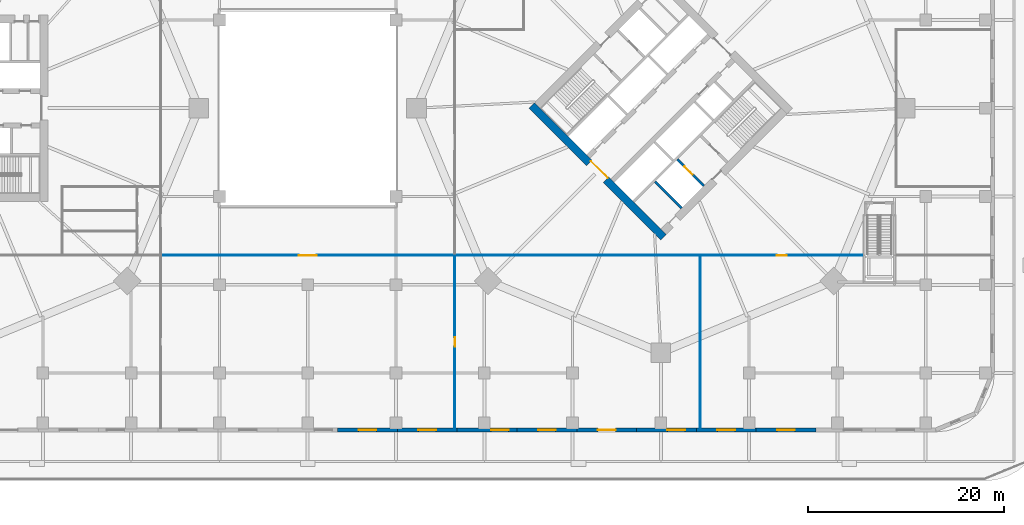
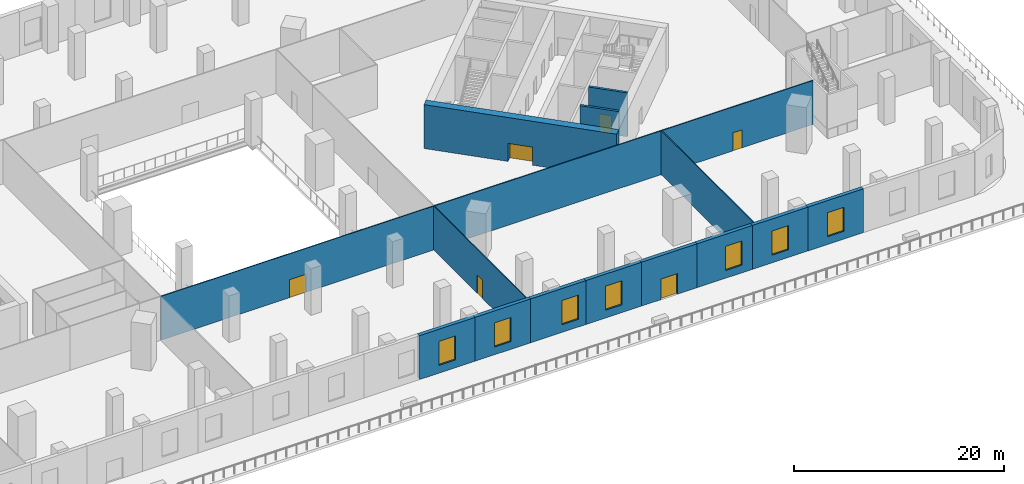
# One storey, part 7 of 20: 16 walls, 7 windows, 6 doors, 13 openings.
"""IFC4 building model written with IfcOpenShell, lengths in metres."""

import ifcopenshell
import ifcopenshell.guid

model = None  # the IFC model being written
_history = None  # IfcOwnerHistory: only IFC2X3 demands one
_inside = {}  # id of a spatial element -> (the spatial element, [elements in it])
_under = {}  # id of a project, library or spatial element -> (it, [spatial elements below it])
_declared = {}  # id of a project -> (the project, [libraries it declares])
_typed = {}  # id of a type object -> (the type object, [elements of that type])
_made_of = {}  # id of a material, layer set ... -> (it, [elements and type objects made of it])


def new_model(schema):
    """Start an empty IFC model of exactly this schema.

    Asked for "IFC4X3", IfcOpenShell would pick the latest addendum, in which some entities
    have other attributes; the version numbers below select the first issue.
    IFC2X3 requires an IfcOwnerHistory on every rooted entity: one is made here for all.
    """
    global model, _history
    if schema == "IFC4X3":
        model = ifcopenshell.file(schema_version=(4, 3, 0, 0))
    else:
        model = ifcopenshell.file(schema=schema)
    _inside.clear()
    _under.clear()
    _declared.clear()
    _typed.clear()
    _made_of.clear()
    _history = None
    if model.schema == "IFC2X3":
        org = make("IfcOrganization", Name="unknown")
        user = make(
            "IfcPersonAndOrganization",
            ThePerson=make("IfcPerson", FamilyName="unknown"),
            TheOrganization=org,
        )
        app = make(
            "IfcApplication",
            ApplicationDeveloper=org,
            Version="unknown",
            ApplicationFullName="unknown",
            ApplicationIdentifier="unknown",
        )
        _history = make(
            "IfcOwnerHistory",
            OwningUser=user,
            OwningApplication=app,
            ChangeAction="ADDED",
            CreationDate=0,
        )
    return model


def make(cls, **values):
    """One entity of the class cls with the attributes given. An attribute that is None is left unset."""
    return model.create_entity(
        cls, **{name: value for name, value in values.items() if value is not None}
    )


def rooted(cls, **values):
    """An entity with a GlobalId (a new one), such as an element, a storey or a relation."""
    return make(cls, GlobalId=ifcopenshell.guid.new(), OwnerHistory=_history, **values)


def si_unit(unit_type, name, prefix=None):
    """IfcSIUnit, for example si_unit("LENGTHUNIT", "METRE", prefix="MILLI")."""
    return make("IfcSIUnit", UnitType=unit_type, Prefix=prefix, Name=name)


def assignment(units):
    """IfcUnitAssignment: the units of a project."""
    return None if units is None else make("IfcUnitAssignment", Units=units)


def point(xyz):
    """IfcCartesianPoint."""
    return None if xyz is None else make("IfcCartesianPoint", Coordinates=xyz)


def direction(xyz):
    """IfcDirection."""
    return None if xyz is None else make("IfcDirection", DirectionRatios=xyz)


def frame(location, z_axis=None, x_axis=None):
    """IfcAxis2Placement3D, a coordinate frame: its origin and axes. An axis left out is left unset."""
    return make(
        "IfcAxis2Placement3D",
        Location=point(location),
        Axis=direction(z_axis),
        RefDirection=direction(x_axis),
    )


def frame_2d(location, x_axis=None):
    """IfcAxis2Placement2D, a coordinate frame in the plane: its origin and x axis."""
    return make(
        "IfcAxis2Placement2D", Location=point(location), RefDirection=direction(x_axis)
    )


def origin():
    """The frame at (0, 0, 0) with its axes left unset."""
    return frame((0.0, 0.0, 0.0))


def place(relative_to, where):
    """IfcLocalPlacement: puts the frame where relative to a parent placement (None: the world)."""
    return make(
        "IfcLocalPlacement", PlacementRelTo=relative_to, RelativePlacement=where
    )


def context(
    kind, dimensions, precision=None, world=None, true_north=None, identifier=None
):
    """IfcGeometricRepresentationContext, for example the 3D "Model" context."""
    return make(
        "IfcGeometricRepresentationContext",
        ContextIdentifier=identifier,
        ContextType=kind,
        CoordinateSpaceDimension=dimensions,
        Precision=precision,
        WorldCoordinateSystem=world,
        TrueNorth=true_north,
    )


def subcontext(parent, identifier, kind, view, scale=None):
    """IfcGeometricRepresentationSubContext, for example "Body" below "Model"."""
    return make(
        "IfcGeometricRepresentationSubContext",
        ContextIdentifier=identifier,
        ContextType=kind,
        ParentContext=parent,
        TargetScale=scale,
        TargetView=view,
    )


def project(units=None, contexts=None):
    """IfcProject with its units and contexts."""
    return rooted(
        "IfcProject",
        Name="project",
        RepresentationContexts=contexts,
        UnitsInContext=assignment(units),
    )


def spatial(cls, under=None, at=None, **own):
    """A site, building, storey or space (cls), placed at a placement, below another one or the project."""
    s = rooted(cls, ObjectPlacement=at, **own)
    if under is not None:
        _under.setdefault(under.id(), (under, []))[1].append(s)
    return s


def profile(cls, at=None, kind="AREA", **sizes):
    """A parametric profile (cls). Its sizes go by their IFC names, for example OverallWidth=200.0."""
    return make(cls, ProfileType=kind, Position=at, **sizes)


def rectangle(**sizes):
    """IfcRectangleProfileDef."""
    return profile("IfcRectangleProfileDef", **sizes)


def extrude(swept, where, along, depth):
    """IfcExtrudedAreaSolid: the profile swept, set in the frame where, extruded along a direction by depth."""
    return make(
        "IfcExtrudedAreaSolid",
        SweptArea=swept,
        Position=where,
        ExtrudedDirection=direction(along),
        Depth=depth,
    )


def shape(context_of_items, identifier, shape_type, items):
    """IfcShapeRepresentation: the items that make up one representation, for example the "Body"."""
    return make(
        "IfcShapeRepresentation",
        ContextOfItems=context_of_items,
        RepresentationIdentifier=identifier,
        RepresentationType=shape_type,
        Items=items,
    )


def material(Name=None, Category=None):
    """IfcMaterial."""
    return make("IfcMaterial", Name=Name, Category=Category)


def layer(
    of_material, thickness, ventilated=None, Name=None, Category=None, Priority=None
):
    """IfcMaterialLayer: one layer of a wall or slab, of a material (None: an air gap)."""
    return make(
        "IfcMaterialLayer",
        Material=of_material,
        LayerThickness=thickness,
        IsVentilated=ventilated,
        Name=Name,
        Category=Category,
        Priority=Priority,
    )


def layer_set(layers, Name=None):
    """IfcMaterialLayerSet."""
    return make("IfcMaterialLayerSet", MaterialLayers=layers, LayerSetName=Name)


def made_of(thing, what):
    """Note that an element or type object is made of a material, layer set ...; save() writes the relation."""
    if what is not None:
        _made_of.setdefault(what.id(), (what, []))[1].append(thing)
    return thing


def type_object(cls, material=None, **own):
    """A type object (cls), such as IfcWallType, which elements share."""
    return made_of(rooted(cls, **own), material)


def element(
    cls,
    number,
    at=None,
    inside=None,
    cuts=None,
    type_object=None,
    material=None,
    context=None,
    identifier="Body",
    shape_type=None,
    held_by="IfcProductDefinitionShape",
    body=None,
    shapes=None,
    **own,
):
    """One element of the class cls, such as IfcWall. Its Tag is "e" and its number.

    at: its placement. inside: the storey or other place that contains it. cuts: it is an
    opening in that element (IfcRelVoidsElement). A single representation is given by context,
    identifier, shape_type and body (its items); several are given by shapes. held_by: the class
    of the entity that holds the representations. save() writes the other relations.
    """
    e = rooted(cls, Tag="e%d" % number, ObjectPlacement=at, **own)
    if body is not None:
        shapes = [shape(context, identifier, shape_type, body)]
    if shapes is not None:
        e.Representation = make(held_by, Representations=shapes)
    if inside is not None:
        _inside.setdefault(inside.id(), (inside, []))[1].append(e)
    if cuts is not None:
        rooted(
            "IfcRelVoidsElement", RelatingBuildingElement=cuts, RelatedOpeningElement=e
        )
    if type_object is not None:
        _typed.setdefault(type_object.id(), (type_object, []))[1].append(e)
    return made_of(e, material)


def fill(opening, filler):
    """IfcRelFillsElement: the door or window that sits in an opening."""
    return rooted(
        "IfcRelFillsElement",
        RelatingOpeningElement=opening,
        RelatedBuildingElement=filler,
    )


def aggregate(whole, parts):
    """IfcRelAggregates: a whole, such as a stair, and the parts it consists of."""
    return rooted("IfcRelAggregates", RelatingObject=whole, RelatedObjects=parts)


def save(model, path):
    """Write the relations noted so far, then the file.

    IfcRelAggregates (storeys below a building ...), IfcRelContainedInSpatialStructure (elements
    in a storey), IfcRelDefinesByType, IfcRelAssociatesMaterial and IfcRelDeclares: one each for
    every whole, place, type object, material and project.
    """
    for whole, parts in _under.values():
        aggregate(whole, parts)
    for where, things in _inside.values():
        rooted(
            "IfcRelContainedInSpatialStructure",
            RelatedElements=things,
            RelatingStructure=where,
        )
    for kind, things in _typed.values():
        rooted("IfcRelDefinesByType", RelatedObjects=things, RelatingType=kind)
    for what, things in _made_of.values():
        rooted("IfcRelAssociatesMaterial", RelatedObjects=things, RelatingMaterial=what)
    for by, libraries in _declared.values():
        rooted("IfcRelDeclares", RelatingContext=by, RelatedDefinitions=libraries)
    model.write(path)


model = new_model("IFC4")

# Units and contexts
model_context = context("Model", 3, precision=1e-05, world=origin(), true_north=direction((0.0, 1.0)))
body_context = subcontext(model_context, "Body", "Model", "MODEL_VIEW")
ifc_project = project(units=[si_unit("LENGTHUNIT", "METRE"), si_unit("AREAUNIT", "SQUARE_METRE"), si_unit("VOLUMEUNIT", "CUBIC_METRE"), si_unit("PLANEANGLEUNIT", "RADIAN"), si_unit("MASSUNIT", "GRAM", prefix="KILO")], contexts=[model_context])

# Site, building, storey
site_placement = place(None, origin())
site = spatial("IfcSite", under=ifc_project, at=site_placement, CompositionType="ELEMENT")
building_placement = place(site_placement, origin())
building = spatial("IfcBuilding", under=site, at=building_placement, Name="Ogive Gate Towers", CompositionType="ELEMENT")
storey_placement = place(building_placement, frame((0.0, 0.0, 7.199951171875)))
storey = spatial("IfcBuildingStorey", under=building, at=storey_placement, Name="L01", CompositionType="ELEMENT", Elevation=7.199951171875)

# Wall, opening, door
ifc_material_1 = material(Name="Concrete C60/75", Category="concrete")
ifc_layer_1 = layer(ifc_material_1, 0.800048828125)
ifc_layer_set_1 = layer_set([ifc_layer_1], Name="Core wall 800 mm")
wall_type_1 = type_object("IfcWallType", Name="Core wall 800 mm", PredefinedType="SHEAR", material=ifc_layer_set_1)
wall_1_placement = place(storey_placement, frame((36.28271484375, -13.152099609375, 0.0), z_axis=(0.0, 0.0, 1.0), x_axis=(-0.707106781187, 0.707106781187, 0.0)))
wall_1 = element("IfcWall", 1, at=wall_1_placement, inside=storey, type_object=wall_type_1, Name="T2 L01 Core wall 800 mm", PredefinedType="SHEAR", context=body_context, shape_type="SweptSolid", body=[
    extrude(rectangle(XDim=18.999755859375, YDim=0.800048828125, at=frame_2d((9.5, 0.0))), origin(), (0.0, 0.0, 1.0), 5.10009765625),
])
opening_1_placement = place(wall_1_placement, frame((8.300048828125, 0.0, 0.0)))
opening_1 = element("IfcOpeningElement", 2, at=opening_1_placement, cuts=wall_1, Name="Opening KD-T2-L01-01", PredefinedType="OPENING", context=body_context, shape_type="SweptSolid", body=[
    extrude(rectangle(XDim=2.39990234375, YDim=2.10009765625, at=frame_2d((1.199951171875, 1.050048828125))), frame((0.0, 0.41015625, 0.0), z_axis=(0.0, -1.0, 0.0), x_axis=(1.0, 0.0, 0.0)), (0.0, 0.0, 1.0), 0.820068359375),
])
ifc_material_2 = material(Name="Steel fire door", Category="steel")
door_type_1 = type_object("IfcDoorType", Name="Core double door FD60S 2400 x 2100", OperationType="DOUBLE_DOOR_SINGLE_SWING", PredefinedType="DOOR", material=ifc_material_2)
door_1_placement = place(opening_1_placement, origin())
door_1 = element("IfcDoor", 3, at=door_1_placement, inside=storey, type_object=door_type_1, Name="T2 L01 Core door double", OperationType="DOUBLE_DOOR_SINGLE_SWING", OverallHeight=2.10009765625, OverallWidth=2.39990234375, PredefinedType="DOOR", context=body_context, shape_type="SweptSolid", body=[
    extrude(rectangle(XDim=2.39990234375, YDim=2.10009765625, at=frame_2d((1.199951171875, 1.050048828125))), frame((0.0, -0.22509765625, 0.0), z_axis=(0.0, -1.0, 0.0), x_axis=(1.0, 0.0, 0.0)), (0.0, 0.0, 1.0), 0.050048828125),
])
fill(opening_1, door_1)

ifc_material_3 = material(Name="Gypsum board partition")
ifc_layer_2 = layer(ifc_material_3, 0.10009765625)
ifc_layer_set_2 = layer_set([ifc_layer_2], Name="Partition wall 100")
wall_type_2 = type_object("IfcWallType", Name="Partition wall 100", PredefinedType="PARTITIONING", material=ifc_layer_set_2)
wall_2_placement = place(storey_placement, frame((-15.0, -15.0, 0.0), z_axis=(0.0, 0.0, 1.0), x_axis=(1.0, 0.0, 0.0)))
wall_2 = element("IfcWall", 4, at=wall_2_placement, inside=storey, type_object=wall_type_2, Name="L01 partition 028", PredefinedType="PARTITIONING", context=body_context, shape_type="SweptSolid", body=[
    extrude(rectangle(XDim=30.0, YDim=0.10009765625, at=frame_2d((15.0, 0.0))), origin(), (0.0, 0.0, 1.0), 5.10009765625),
])
opening_2_placement = place(wall_2_placement, frame((14.10009765625, 0.0, 0.0)))
opening_2 = element("IfcOpeningElement", 5, at=opening_2_placement, cuts=wall_2, Name="Opening PO140", PredefinedType="OPENING", context=body_context, shape_type="SweptSolid", body=[
    extrude(rectangle(XDim=1.800048828125, YDim=2.10009765625, at=frame_2d((0.89990234375, 1.050048828125))), frame((0.0, 0.06005859375, 0.0), z_axis=(0.0, -1.0, 0.0), x_axis=(1.0, 0.0, 0.0)), (0.0, 0.0, 1.0), 0.1201171875),
])
ifc_material_4 = material(Name="Timber door", Category="wood")
door_type_2 = type_object("IfcDoorType", Name="Double door 1800 x 2100", OperationType="NOTDEFINED", PredefinedType="DOOR", material=ifc_material_4)
door_2_placement = place(opening_2_placement, origin())
door_2 = element("IfcDoor", 6, at=door_2_placement, inside=storey, type_object=door_type_2, Name="Door PO140", OperationType="DOUBLE_DOOR_DOUBLE_SWING", OverallHeight=2.10009765625, OverallWidth=1.800048828125, PredefinedType="DOOR", context=body_context, shape_type="SweptSolid", body=[
    extrude(rectangle(XDim=1.800048828125, YDim=2.10009765625, at=frame_2d((0.89990234375, 1.050048828125))), frame((0.0, 0.02490234375, 0.0), z_axis=(0.0, -1.0, 0.0), x_axis=(1.0, 0.0, 0.0)), (0.0, 0.0, 1.0), 0.050048828125),
])
fill(opening_2, door_2)

wall_3_placement = place(storey_placement, frame((15.0, -32.60009765625, 0.0), z_axis=(0.0, 0.0, 1.0), x_axis=(0.0, 1.0, 0.0)))
wall_3 = element("IfcWall", 7, at=wall_3_placement, inside=storey, type_object=wall_type_2, Name="L01 partition 034", PredefinedType="PARTITIONING", context=body_context, shape_type="SweptSolid", body=[
    extrude(rectangle(XDim=17.550048828125, YDim=0.10009765625, at=frame_2d((8.77490234375, 0.0))), origin(), (0.0, 0.0, 1.0), 5.10009765625),
])
opening_3_placement = place(wall_3_placement, frame((8.27490234375, 0.0, 0.0)))
opening_3 = element("IfcOpeningElement", 8, at=opening_3_placement, cuts=wall_3, Name="Opening PO143", PredefinedType="OPENING", context=body_context, shape_type="SweptSolid", body=[
    extrude(rectangle(XDim=1.0, YDim=2.10009765625, at=frame_2d((0.5, 1.050048828125))), frame((0.0, 0.06005859375, 0.0), z_axis=(0.0, -1.0, 0.0), x_axis=(1.0, 0.0, 0.0)), (0.0, 0.0, 1.0), 0.1201171875),
])
door_type_3 = type_object("IfcDoorType", Name="Door 1000 x 2100", OperationType="NOTDEFINED", PredefinedType="DOOR", material=ifc_material_4)
door_3_placement = place(opening_3_placement, origin())
door_3 = element("IfcDoor", 9, at=door_3_placement, inside=storey, type_object=door_type_3, Name="Door PO143", OperationType="SINGLE_SWING_LEFT", OverallHeight=2.10009765625, OverallWidth=1.0, PredefinedType="DOOR", context=body_context, shape_type="SweptSolid", body=[
    extrude(rectangle(XDim=1.0, YDim=2.10009765625, at=frame_2d((0.5, 1.050048828125))), frame((0.0, 0.02490234375, 0.0), z_axis=(0.0, -1.0, 0.0), x_axis=(1.0, 0.0, 0.0)), (0.0, 0.0, 1.0), 0.050048828125),
])
fill(opening_3, door_3)

# Walls
wall_4_placement = place(storey_placement, frame((40.0, -32.60009765625, 0.0), z_axis=(0.0, 0.0, 1.0), x_axis=(0.0, 1.0, 0.0)))
element("IfcWall", 10, at=wall_4_placement, inside=storey, type_object=wall_type_2, Name="L01 partition 040", PredefinedType="PARTITIONING", context=body_context, shape_type="SweptSolid", body=[
    extrude(rectangle(XDim=17.550048828125, YDim=0.10009765625, at=frame_2d((8.77490234375, 0.0))), origin(), (0.0, 0.0, 1.0), 5.10009765625),
])
wall_5_placement = place(storey_placement, frame((15.0, -15.0, 0.0), z_axis=(0.0, 0.0, 1.0), x_axis=(1.0, 0.0, 0.0)))
element("IfcWall", 11, at=wall_5_placement, inside=storey, type_object=wall_type_2, Name="L01 partition 041", PredefinedType="PARTITIONING", context=body_context, shape_type="SweptSolid", body=[
    extrude(rectangle(XDim=25.0, YDim=0.10009765625, at=frame_2d((12.5, 0.0))), origin(), (0.0, 0.0, 1.0), 5.10009765625),
])

# Wall, opening, door
wall_6_placement = place(storey_placement, frame((40.0, -15.0, 0.0), z_axis=(0.0, 0.0, 1.0), x_axis=(1.0, 0.0, 0.0)))
wall_6 = element("IfcWall", 12, at=wall_6_placement, inside=storey, type_object=wall_type_2, Name="L01 partition 042", PredefinedType="PARTITIONING", context=body_context, shape_type="SweptSolid", body=[
    extrude(rectangle(XDim=16.64990234375, YDim=0.10009765625, at=frame_2d((8.324951171875, 0.0))), origin(), (0.0, 0.0, 1.0), 5.10009765625),
])
opening_4_placement = place(wall_6_placement, frame((7.824951171875, 0.0, 0.0)))
opening_4 = element("IfcOpeningElement", 13, at=opening_4_placement, cuts=wall_6, Name="Opening PO144", PredefinedType="OPENING", context=body_context, shape_type="SweptSolid", body=[
    extrude(rectangle(XDim=1.0, YDim=2.10009765625, at=frame_2d((0.5, 1.050048828125))), frame((0.0, 0.06005859375, 0.0), z_axis=(0.0, -1.0, 0.0), x_axis=(1.0, 0.0, 0.0)), (0.0, 0.0, 1.0), 0.1201171875),
])
door_4_placement = place(opening_4_placement, origin())
door_4 = element("IfcDoor", 14, at=door_4_placement, inside=storey, type_object=door_type_3, Name="Door PO144", OperationType="SINGLE_SWING_RIGHT", OverallHeight=2.10009765625, OverallWidth=1.0, PredefinedType="DOOR", context=body_context, shape_type="SweptSolid", body=[
    extrude(rectangle(XDim=1.0, YDim=2.10009765625, at=frame_2d((0.5, 1.050048828125))), frame((0.0, 0.02490234375, 0.0), z_axis=(0.0, -1.0, 0.0), x_axis=(1.0, 0.0, 0.0)), (0.0, 0.0, 1.0), 0.050048828125),
])
fill(opening_4, door_4)

# Wall, opening, window
ifc_material_5 = material(Name="Precast concrete C40/50", Category="concrete")
ifc_layer_3 = layer(ifc_material_5, 0.39990234375)
ifc_layer_set_3 = layer_set([ifc_layer_3], Name="Podium wall 400")
wall_type_3 = type_object("IfcWallType", Name="Podium wall 400", PredefinedType="SOLIDWALL", material=ifc_layer_set_3)
wall_7_placement = place(storey_placement, frame((3.047607421875, -32.800048828125, 0.0), z_axis=(0.0, 0.0, 1.0), x_axis=(1.0, 0.0, 0.0)))
wall_7 = element("IfcWall", 15, at=wall_7_placement, inside=storey, type_object=wall_type_3, Name="Podium wall", PredefinedType="SOLIDWALL", context=body_context, shape_type="SweptSolid", body=[
    extrude(rectangle(XDim=6.09521484375, YDim=0.39990234375, at=frame_2d((3.047607421875, 0.0))), origin(), (0.0, 0.0, 1.0), 5.10009765625),
])
opening_5_placement = place(wall_7_placement, frame((2.147705078125, 0.0, 0.89990234375)))
opening_5 = element("IfcOpeningElement", 16, at=opening_5_placement, cuts=wall_7, Name="Opening WN1", PredefinedType="OPENING", context=body_context, shape_type="SweptSolid", body=[
    extrude(rectangle(XDim=1.800048828125, YDim=2.800048828125, at=frame_2d((0.89990234375, 1.39990234375))), frame((0.0, 0.2099609375, 0.0), z_axis=(0.0, -1.0, 0.0), x_axis=(1.0, 0.0, 0.0)), (0.0, 0.0, 1.0), 0.419921875),
])
ifc_material_6 = material(Name="Clear glass", Category="glass")
window_type = type_object("IfcWindowType", Name="Podium window 1800 x 2800", PartitioningType="SINGLE_PANEL", PredefinedType="WINDOW", material=ifc_material_6)
window_1_placement = place(opening_5_placement, origin())
window_1 = element("IfcWindow", 17, at=window_1_placement, inside=storey, type_object=window_type, Name="Podium window", OverallHeight=2.800048828125, OverallWidth=1.800048828125, PartitioningType="SINGLE_PANEL", PredefinedType="WINDOW", context=body_context, shape_type="SweptSolid", body=[
    extrude(rectangle(XDim=1.800048828125, YDim=2.800048828125, at=frame_2d((0.89990234375, 1.39990234375))), frame((0.0, 0.030029296875, 0.0), z_axis=(0.0, -1.0, 0.0), x_axis=(1.0, 0.0, 0.0)), (0.0, 0.0, 1.0), 0.06005859375),
])
fill(opening_5, window_1)

wall_8_placement = place(storey_placement, frame((9.142822265625, -32.800048828125, 0.0), z_axis=(0.0, 0.0, 1.0), x_axis=(1.0, 0.0, 0.0)))
wall_8 = element("IfcWall", 18, at=wall_8_placement, inside=storey, type_object=wall_type_3, Name="Podium wall", PredefinedType="SOLIDWALL", context=body_context, shape_type="SweptSolid", body=[
    extrude(rectangle(XDim=6.09521484375, YDim=0.39990234375, at=frame_2d((3.047607421875, 0.0))), origin(), (0.0, 0.0, 1.0), 5.10009765625),
])
opening_6_placement = place(wall_8_placement, frame((2.147705078125, 0.0, 0.89990234375)))
opening_6 = element("IfcOpeningElement", 19, at=opening_6_placement, cuts=wall_8, Name="Opening WN1", PredefinedType="OPENING", context=body_context, shape_type="SweptSolid", body=[
    extrude(rectangle(XDim=1.800048828125, YDim=2.800048828125, at=frame_2d((0.89990234375, 1.39990234375))), frame((0.0, 0.2099609375, 0.0), z_axis=(0.0, -1.0, 0.0), x_axis=(1.0, 0.0, 0.0)), (0.0, 0.0, 1.0), 0.419921875),
])
window_2_placement = place(opening_6_placement, origin())
window_2 = element("IfcWindow", 20, at=window_2_placement, inside=storey, type_object=window_type, Name="Podium window", OverallHeight=2.800048828125, OverallWidth=1.800048828125, PartitioningType="SINGLE_PANEL", PredefinedType="WINDOW", context=body_context, shape_type="SweptSolid", body=[
    extrude(rectangle(XDim=1.800048828125, YDim=2.800048828125, at=frame_2d((0.89990234375, 1.39990234375))), frame((0.0, 0.030029296875, 0.0), z_axis=(0.0, -1.0, 0.0), x_axis=(1.0, 0.0, 0.0)), (0.0, 0.0, 1.0), 0.06005859375),
])
fill(opening_6, window_2)

wall_9_placement = place(storey_placement, frame((15.238037109375, -32.800048828125, 0.0), z_axis=(0.0, 0.0, 1.0), x_axis=(1.0, 0.0, 0.0)))
wall_9 = element("IfcWall", 21, at=wall_9_placement, inside=storey, type_object=wall_type_3, Name="Podium wall", PredefinedType="SOLIDWALL", context=body_context, shape_type="SweptSolid", body=[
    extrude(rectangle(XDim=6.09521484375, YDim=0.39990234375, at=frame_2d((3.047607421875, 0.0))), origin(), (0.0, 0.0, 1.0), 5.10009765625),
])
opening_7_placement = place(wall_9_placement, frame((3.447509765625, 0.0, 0.89990234375)))
opening_7 = element("IfcOpeningElement", 22, at=opening_7_placement, cuts=wall_9, Name="Opening WN1", PredefinedType="OPENING", context=body_context, shape_type="SweptSolid", body=[
    extrude(rectangle(XDim=1.800048828125, YDim=2.800048828125, at=frame_2d((0.89990234375, 1.39990234375))), frame((0.0, 0.2099609375, 0.0), z_axis=(0.0, -1.0, 0.0), x_axis=(1.0, 0.0, 0.0)), (0.0, 0.0, 1.0), 0.419921875),
])
window_3_placement = place(opening_7_placement, origin())
window_3 = element("IfcWindow", 23, at=window_3_placement, inside=storey, type_object=window_type, Name="Podium window", OverallHeight=2.800048828125, OverallWidth=1.800048828125, PartitioningType="SINGLE_PANEL", PredefinedType="WINDOW", context=body_context, shape_type="SweptSolid", body=[
    extrude(rectangle(XDim=1.800048828125, YDim=2.800048828125, at=frame_2d((0.89990234375, 1.39990234375))), frame((0.0, 0.030029296875, 0.0), z_axis=(0.0, -1.0, 0.0), x_axis=(1.0, 0.0, 0.0)), (0.0, 0.0, 1.0), 0.06005859375),
])
fill(opening_7, window_3)

wall_10_placement = place(storey_placement, frame((21.333251953125, -32.800048828125, 0.0), z_axis=(0.0, 0.0, 1.0), x_axis=(1.0, 0.0, 0.0)))
wall_10 = element("IfcWall", 24, at=wall_10_placement, inside=storey, type_object=wall_type_3, Name="Podium wall", PredefinedType="SOLIDWALL", context=body_context, shape_type="SweptSolid", body=[
    extrude(rectangle(XDim=6.095458984375, YDim=0.39990234375, at=frame_2d((3.0478515625, 0.0))), origin(), (0.0, 0.0, 1.0), 5.10009765625),
])
opening_8_placement = place(wall_10_placement, frame((2.147705078125, 0.0, 0.89990234375)))
opening_8 = element("IfcOpeningElement", 25, at=opening_8_placement, cuts=wall_10, Name="Opening WN1", PredefinedType="OPENING", context=body_context, shape_type="SweptSolid", body=[
    extrude(rectangle(XDim=1.800048828125, YDim=2.800048828125, at=frame_2d((0.89990234375, 1.39990234375))), frame((0.0, 0.2099609375, 0.0), z_axis=(0.0, -1.0, 0.0), x_axis=(1.0, 0.0, 0.0)), (0.0, 0.0, 1.0), 0.419921875),
])
window_4_placement = place(opening_8_placement, origin())
window_4 = element("IfcWindow", 26, at=window_4_placement, inside=storey, type_object=window_type, Name="Podium window", OverallHeight=2.800048828125, OverallWidth=1.800048828125, PartitioningType="SINGLE_PANEL", PredefinedType="WINDOW", context=body_context, shape_type="SweptSolid", body=[
    extrude(rectangle(XDim=1.800048828125, YDim=2.800048828125, at=frame_2d((0.89990234375, 1.39990234375))), frame((0.0, 0.030029296875, 0.0), z_axis=(0.0, -1.0, 0.0), x_axis=(1.0, 0.0, 0.0)), (0.0, 0.0, 1.0), 0.06005859375),
])
fill(opening_8, window_4)

# Wall, opening, door
wall_11_placement = place(storey_placement, frame((27.4287109375, -32.800048828125, 0.0), z_axis=(0.0, 0.0, 1.0), x_axis=(1.0, 0.0, 0.0)))
wall_11 = element("IfcWall", 27, at=wall_11_placement, inside=storey, type_object=wall_type_3, Name="Podium wall", PredefinedType="SOLIDWALL", context=body_context, shape_type="SweptSolid", body=[
    extrude(rectangle(XDim=6.094970703125, YDim=0.39990234375, at=frame_2d((3.04736328125, 0.0))), origin(), (0.0, 0.0, 1.0), 5.10009765625),
])
opening_9_placement = place(wall_11_placement, frame((2.147705078125, 0.0, 0.0)))
opening_9 = element("IfcOpeningElement", 28, at=opening_9_placement, cuts=wall_11, Name="Opening ED3-L01-06", PredefinedType="OPENING", context=body_context, shape_type="SweptSolid", body=[
    extrude(rectangle(XDim=1.800048828125, YDim=2.39990234375, at=frame_2d((0.89990234375, 1.199951171875))), frame((0.0, 0.2099609375, 0.0), z_axis=(0.0, -1.0, 0.0), x_axis=(1.0, 0.0, 0.0)), (0.0, 0.0, 1.0), 0.419921875),
])
ifc_material_7 = material(Name="Pale metal aluminium", Category="aluminium")
door_type_4 = type_object("IfcDoorType", Name="Terrace door 1800 x 2400", OperationType="DOUBLE_DOOR_SINGLE_SWING", PredefinedType="DOOR", material=ifc_material_7)
door_5_placement = place(opening_9_placement, origin())
door_5 = element("IfcDoor", 29, at=door_5_placement, inside=storey, type_object=door_type_4, Name="Exterior door", OperationType="SINGLE_SWING_LEFT", OverallHeight=2.39990234375, OverallWidth=1.800048828125, PredefinedType="DOOR", context=body_context, shape_type="SweptSolid", body=[
    extrude(rectangle(XDim=1.800048828125, YDim=2.39990234375, at=frame_2d((0.89990234375, 1.199951171875))), frame((0.0, 0.02490234375, 0.0), z_axis=(0.0, -1.0, 0.0), x_axis=(1.0, 0.0, 0.0)), (0.0, 0.0, 1.0), 0.050048828125),
])
fill(opening_9, door_5)

# Wall, opening, window
wall_12_placement = place(storey_placement, frame((33.523681640625, -32.800048828125, 0.0), z_axis=(0.0, 0.0, 1.0), x_axis=(1.0, 0.0, 0.0)))
wall_12 = element("IfcWall", 30, at=wall_12_placement, inside=storey, type_object=wall_type_3, Name="Podium wall", PredefinedType="SOLIDWALL", context=body_context, shape_type="SweptSolid", body=[
    extrude(rectangle(XDim=6.09521484375, YDim=0.39990234375, at=frame_2d((3.047607421875, 0.0))), origin(), (0.0, 0.0, 1.0), 5.10009765625),
])
opening_10_placement = place(wall_12_placement, frame((3.147705078125, 0.0, 0.89990234375)))
opening_10 = element("IfcOpeningElement", 31, at=opening_10_placement, cuts=wall_12, Name="Opening WN1", PredefinedType="OPENING", context=body_context, shape_type="SweptSolid", body=[
    extrude(rectangle(XDim=1.800048828125, YDim=2.800048828125, at=frame_2d((0.89990234375, 1.39990234375))), frame((0.0, 0.2099609375, 0.0), z_axis=(0.0, -1.0, 0.0), x_axis=(1.0, 0.0, 0.0)), (0.0, 0.0, 1.0), 0.419921875),
])
window_5_placement = place(opening_10_placement, origin())
window_5 = element("IfcWindow", 32, at=window_5_placement, inside=storey, type_object=window_type, Name="Podium window", OverallHeight=2.800048828125, OverallWidth=1.800048828125, PartitioningType="SINGLE_PANEL", PredefinedType="WINDOW", context=body_context, shape_type="SweptSolid", body=[
    extrude(rectangle(XDim=1.800048828125, YDim=2.800048828125, at=frame_2d((0.89990234375, 1.39990234375))), frame((0.0, 0.030029296875, 0.0), z_axis=(0.0, -1.0, 0.0), x_axis=(1.0, 0.0, 0.0)), (0.0, 0.0, 1.0), 0.06005859375),
])
fill(opening_10, window_5)

wall_13_placement = place(storey_placement, frame((39.618896484375, -32.800048828125, 0.0), z_axis=(0.0, 0.0, 1.0), x_axis=(1.0, 0.0, 0.0)))
wall_13 = element("IfcWall", 33, at=wall_13_placement, inside=storey, type_object=wall_type_3, Name="Podium wall", PredefinedType="SOLIDWALL", context=body_context, shape_type="SweptSolid", body=[
    extrude(rectangle(XDim=6.095458984375, YDim=0.39990234375, at=frame_2d((3.0478515625, 0.0))), origin(), (0.0, 0.0, 1.0), 5.10009765625),
])
opening_11_placement = place(wall_13_placement, frame((2.147705078125, 0.0, 0.89990234375)))
opening_11 = element("IfcOpeningElement", 34, at=opening_11_placement, cuts=wall_13, Name="Opening WN1", PredefinedType="OPENING", context=body_context, shape_type="SweptSolid", body=[
    extrude(rectangle(XDim=1.800048828125, YDim=2.800048828125, at=frame_2d((0.89990234375, 1.39990234375))), frame((0.0, 0.2099609375, 0.0), z_axis=(0.0, -1.0, 0.0), x_axis=(1.0, 0.0, 0.0)), (0.0, 0.0, 1.0), 0.419921875),
])
window_6_placement = place(opening_11_placement, origin())
window_6 = element("IfcWindow", 35, at=window_6_placement, inside=storey, type_object=window_type, Name="Podium window", OverallHeight=2.800048828125, OverallWidth=1.800048828125, PartitioningType="SINGLE_PANEL", PredefinedType="WINDOW", context=body_context, shape_type="SweptSolid", body=[
    extrude(rectangle(XDim=1.800048828125, YDim=2.800048828125, at=frame_2d((0.89990234375, 1.39990234375))), frame((0.0, 0.030029296875, 0.0), z_axis=(0.0, -1.0, 0.0), x_axis=(1.0, 0.0, 0.0)), (0.0, 0.0, 1.0), 0.06005859375),
])
fill(opening_11, window_6)

wall_14_placement = place(storey_placement, frame((45.71435546875, -32.800048828125, 0.0), z_axis=(0.0, 0.0, 1.0), x_axis=(1.0, 0.0, 0.0)))
wall_14 = element("IfcWall", 36, at=wall_14_placement, inside=storey, type_object=wall_type_3, Name="Podium wall", PredefinedType="SOLIDWALL", context=body_context, shape_type="SweptSolid", body=[
    extrude(rectangle(XDim=6.09521484375, YDim=0.39990234375, at=frame_2d((3.047607421875, 0.0))), origin(), (0.0, 0.0, 1.0), 5.10009765625),
])
opening_12_placement = place(wall_14_placement, frame((2.147705078125, 0.0, 0.89990234375)))
opening_12 = element("IfcOpeningElement", 37, at=opening_12_placement, cuts=wall_14, Name="Opening WN1", PredefinedType="OPENING", context=body_context, shape_type="SweptSolid", body=[
    extrude(rectangle(XDim=1.800048828125, YDim=2.800048828125, at=frame_2d((0.89990234375, 1.39990234375))), frame((0.0, 0.2099609375, 0.0), z_axis=(0.0, -1.0, 0.0), x_axis=(1.0, 0.0, 0.0)), (0.0, 0.0, 1.0), 0.419921875),
])
window_7_placement = place(opening_12_placement, origin())
window_7 = element("IfcWindow", 38, at=window_7_placement, inside=storey, type_object=window_type, Name="Podium window", OverallHeight=2.800048828125, OverallWidth=1.800048828125, PartitioningType="SINGLE_PANEL", PredefinedType="WINDOW", context=body_context, shape_type="SweptSolid", body=[
    extrude(rectangle(XDim=1.800048828125, YDim=2.800048828125, at=frame_2d((0.89990234375, 1.39990234375))), frame((0.0, 0.030029296875, 0.0), z_axis=(0.0, -1.0, 0.0), x_axis=(1.0, 0.0, 0.0)), (0.0, 0.0, 1.0), 0.06005859375),
])
fill(opening_12, window_7)

# Wall
ifc_layer_4 = layer(ifc_material_1, 0.25)
ifc_layer_set_4 = layer_set([ifc_layer_4], Name="Shaft wall 250 mm")
wall_type_4 = type_object("IfcWallType", Name="Shaft wall 250 mm", PredefinedType="SHEAR", material=ifc_layer_set_4)
wall_15_placement = place(storey_placement, frame((38.121337890625, -10.182373046875, 0.0), z_axis=(0.0, 0.0, 1.0), x_axis=(-0.707138693938, 0.707074866995, 0.0)))
element("IfcWall", 39, at=wall_15_placement, inside=storey, type_object=wall_type_4, Name="T2 L01 Shaft wall 250 mm", PredefinedType="SHEAR", context=body_context, shape_type="SweptSolid", body=[
    extrude(rectangle(XDim=3.824951171875, YDim=0.25, at=frame_2d((1.91259765625, 0.0))), origin(), (0.0, 0.0, 1.0), 5.10009765625),
])

# Wall, opening, door
wall_16_placement = place(storey_placement, frame((40.384033203125, -7.919677734375, 0.0), z_axis=(0.0, 0.0, 1.0), x_axis=(-0.707074866995, 0.707138693938, 0.0)))
wall_16 = element("IfcWall", 40, at=wall_16_placement, inside=storey, type_object=wall_type_4, Name="T2 L01 Shaft wall 250 mm", PredefinedType="SHEAR", context=body_context, shape_type="SweptSolid", body=[
    extrude(rectangle(XDim=3.824951171875, YDim=0.25, at=frame_2d((1.91259765625, 0.0))), origin(), (0.0, 0.0, 1.0), 5.10009765625),
])
opening_13_placement = place(wall_16_placement, frame((1.60009765625, 0.0, 0.0)))
opening_13 = element("IfcOpeningElement", 41, at=opening_13_placement, cuts=wall_16, Name="Opening LD-T2-L01-11", PredefinedType="OPENING", context=body_context, shape_type="SweptSolid", body=[
    extrude(rectangle(XDim=1.199951171875, YDim=2.10009765625, at=frame_2d((0.60009765625, 1.050048828125))), frame((0.0, 0.135009765625, 0.0), z_axis=(0.0, -1.0, 0.0), x_axis=(1.0, 0.0, 0.0)), (0.0, 0.0, 1.0), 0.27001953125),
])
ifc_material_8 = material(Name="Stainless steel landing door", Category="steel")
door_type_5 = type_object("IfcDoorType", Name="Landing door 1200 x 2100", OperationType="SLIDING_TO_LEFT", PredefinedType="DOOR", material=ifc_material_8)
door_6_placement = place(opening_13_placement, origin())
door_6 = element("IfcDoor", 42, at=door_6_placement, inside=storey, type_object=door_type_5, Name="T2 L01 Lift landing door FF2", OperationType="SLIDING_TO_LEFT", OverallHeight=2.10009765625, OverallWidth=1.199951171875, PredefinedType="DOOR", context=body_context, shape_type="SweptSolid", body=[
    extrude(rectangle(XDim=1.199951171875, YDim=2.10009765625, at=frame_2d((0.60009765625, 1.050048828125))), frame((0.0, 0.02490234375, 0.0), z_axis=(0.0, -1.0, 0.0), x_axis=(1.0, 0.0, 0.0)), (0.0, 0.0, 1.0), 0.050048828125),
])
fill(opening_13, door_6)

save(model, "model.ifc")
